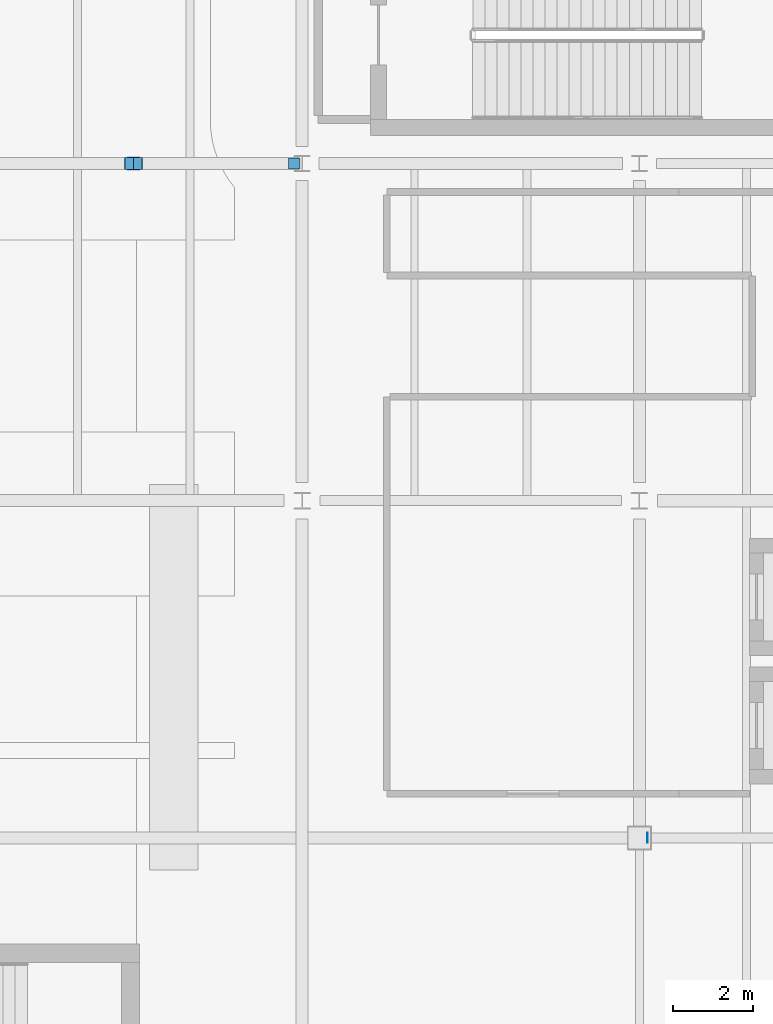
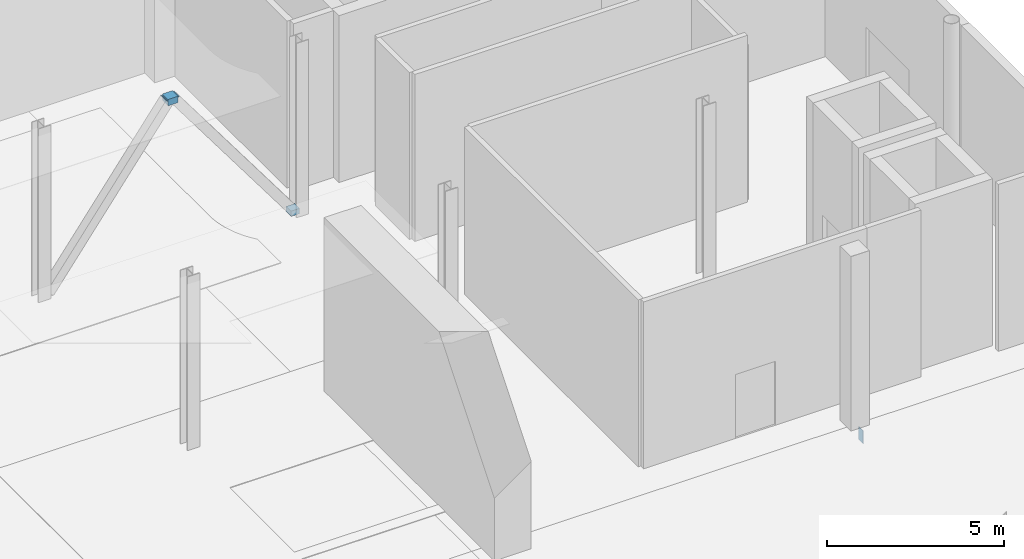
# One storey, part 62 of 85: 5 discrete accessories.
"""IFC4 building model written with IfcOpenShell, lengths in metres."""

from ifc_helpers import new_model, si_unit, direction, frame, origin, origin_2d, place, context, subcontext, project, spatial, rectangle, extrude, material, type_object, element, save


model = new_model("IFC4")

# Units and contexts
model_context = context("Model", 3, precision=1e-05, world=origin(), true_north=direction((0.0, 1.0)))
body_context = subcontext(model_context, "Body", "Model", "MODEL_VIEW")
ifc_project = project(units=[si_unit("LENGTHUNIT", "METRE"), si_unit("AREAUNIT", "SQUARE_METRE"), si_unit("VOLUMEUNIT", "CUBIC_METRE"), si_unit("PLANEANGLEUNIT", "RADIAN"), si_unit("MASSUNIT", "GRAM", prefix="KILO"), si_unit("THERMODYNAMICTEMPERATUREUNIT", "KELVIN")], contexts=[model_context])

# Site, building, storey
site_placement = place(None, origin())
site = spatial("IfcSite", under=ifc_project, at=site_placement, CompositionType="ELEMENT")
building_placement = place(site_placement, origin())
building = spatial("IfcBuilding", under=site, at=building_placement, Name="Lustrewick Department Store", CompositionType="ELEMENT")
storey_placement = place(building_placement, origin())
storey = spatial("IfcBuildingStorey", under=building, at=storey_placement, Name="L01", CompositionType="ELEMENT", Elevation=0.0)

# Discrete accessories
ifc_material = material(Name="Structural steel Q355C", Category="steel")
discrete_accessory_type_1 = type_object("IfcDiscreteAccessoryType", Name="GUS-NODE", PredefinedType="BRACKET", material=ifc_material)
discrete_accessory_1_placement = place(storey_placement, frame((134.199951171875, 42.0, 0.06005859375), z_axis=(0.0, 0.0, 1.0), x_axis=(1.0, 0.0, 0.0)))
element("IfcDiscreteAccessory", 1, at=discrete_accessory_1_placement, inside=storey, type_object=discrete_accessory_type_1, Name="L01 V3 Brace Base Gusset Plate", PredefinedType="BRACKET", context=body_context, shape_type="SweptSolid", body=[
    extrude(rectangle(XDim=0.280029296875, YDim=0.280029296875, at=origin_2d()), origin(), (0.0, 0.0, 1.0), 0.179931640625),
])
discrete_accessory_2_placement = place(storey_placement, frame((130.199951171875, 42.0, 5.28515625), z_axis=(0.0, 0.0, 1.0), x_axis=(1.0, 0.0, 0.0)))
element("IfcDiscreteAccessory", 2, at=discrete_accessory_2_placement, inside=storey, type_object=discrete_accessory_type_1, Name="L01 V3 Chevron Brace Apex Gusset Plate", PredefinedType="BRACKET", context=body_context, shape_type="SweptSolid", body=[
    extrude(rectangle(XDim=0.320068359375, YDim=0.320068359375, at=origin_2d()), origin(), (0.0, 0.0, 1.0), 0.219970703125),
])
discrete_accessory_type_2 = type_object("IfcDiscreteAccessoryType", Name="ECP-01", PredefinedType="USERDEFINED", material=ifc_material)
for number, where, z_axis, x_axis, name in (
    (3, (130.3037109375, 42.0, 5.39013671875), (-0.596671928583, 0.0, 0.802485270669), (0.0, -1.0, 0.0), "L01 Welded Hollow-Section End-Cap Plate ECP-01"),
    (4, (130.096435546875, 42.0, 5.39013671875), (0.596695982264, 0.0, 0.802467385474), (0.0, 1.0, 0.0), "L01 Welded Hollow-Section End-Cap Plate ECP-01"),
):
    element("IfcDiscreteAccessory", number, at=place(storey_placement, frame(where, z_axis=z_axis, x_axis=x_axis)), inside=storey, type_object=discrete_accessory_type_2, Name=name, ObjectType="END_CAP_PLATE", PredefinedType="USERDEFINED", context=body_context, shape_type="SweptSolid", body=[
        extrude(rectangle(XDim=0.300048828125, YDim=0.300048828125, at=origin_2d()), origin(), (0.0, 0.0, 1.0), 0.01611328125),
    ])
discrete_accessory_3_placement = place(storey_placement, frame((143.009521484375, 25.199951171875, -0.4951171875), z_axis=(-1.0, 0.0, 0.0), x_axis=(0.0, 1.0, 0.0)))
element("IfcDiscreteAccessory", 5, at=discrete_accessory_3_placement, inside=storey, type_object=discrete_accessory_type_2, Name="L01 Welded Hollow-Section End-Cap Plate ECP-01", ObjectType="END_CAP_PLATE", PredefinedType="USERDEFINED", context=body_context, shape_type="SweptSolid", body=[
    extrude(rectangle(XDim=0.25, YDim=0.449951171875, at=origin_2d()), origin(), (0.0, 0.0, 1.0), 0.01611328125),
])

save(model, "model.ifc")
